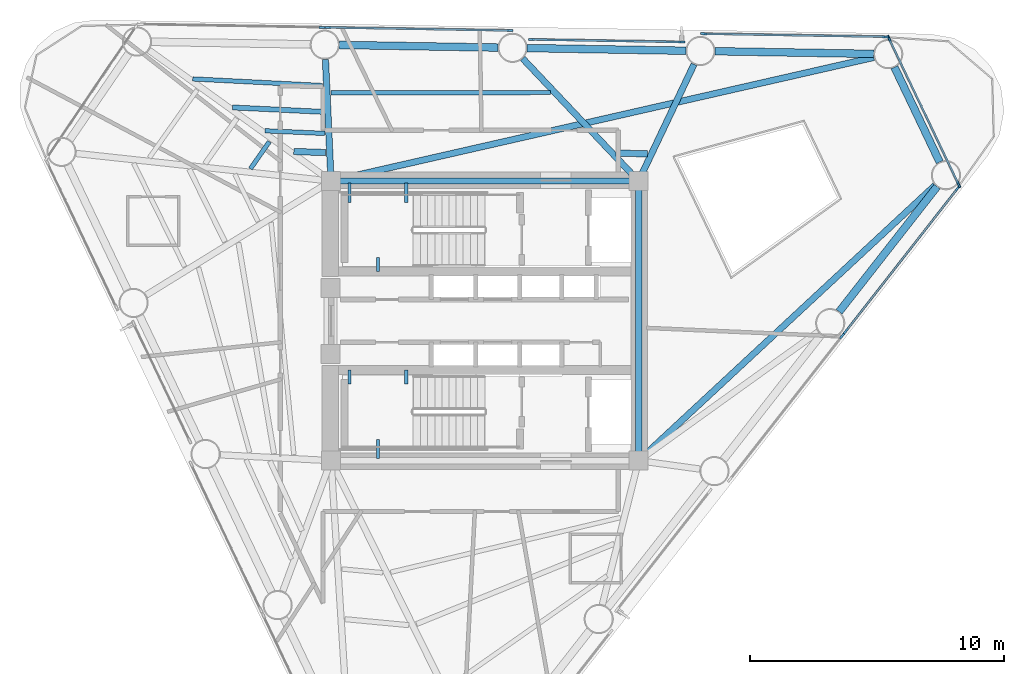
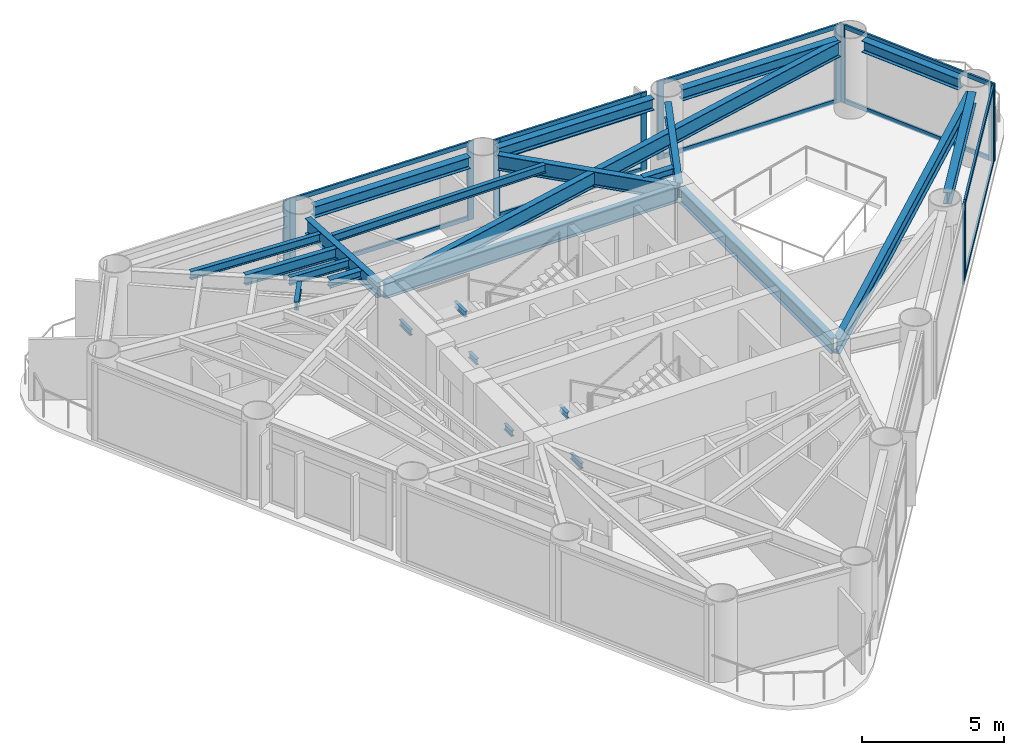
# One storey, part 3 of 9: 25 beams, 23 members, 7 elements without a shape of their own.
"""IFC4 building model written with IfcOpenShell, lengths in metres."""

from ifc_helpers import new_model, si_unit, direction, frame, origin, origin_2d, place, context, subcontext, project, spatial, rectangle, i_section, extrude, source, transform, mapped, material, layer, layer_set, material_profile, profile_set, type_object, element, aggregate, save


model = new_model("IFC4")

# Units and contexts
model_context = context("Model", 3, precision=1e-05, world=origin(), true_north=direction((0.0, 1.0)))
body_context = subcontext(model_context, "Body", "Model", "MODEL_VIEW")
ifc_project = project(units=[si_unit("LENGTHUNIT", "METRE"), si_unit("AREAUNIT", "SQUARE_METRE"), si_unit("VOLUMEUNIT", "CUBIC_METRE"), si_unit("PLANEANGLEUNIT", "RADIAN"), si_unit("MASSUNIT", "GRAM", prefix="KILO")], contexts=[model_context])

# Site, building, storey
site_placement = place(None, origin())
site = spatial("IfcSite", under=ifc_project, at=site_placement, CompositionType="ELEMENT")
building_placement = place(site_placement, origin())
building = spatial("IfcBuilding", under=site, at=building_placement, Name="Yunling Apex Tower", CompositionType="ELEMENT")
storey_placement = place(building_placement, frame((0.0, 0.0, 198.35009765625)))
storey = spatial("IfcBuildingStorey", under=building, at=storey_placement, Name="L48", CompositionType="ELEMENT", Elevation=198.35009765625)

# Beams
ifc_material_1 = material(Name="Steel Q355B", Category="steel")
ifc_material_profile_1 = material_profile(ifc_material_1, i_section(OverallWidth=0.125, OverallDepth=0.25, WebThickness=0.006103515625, FlangeThickness=0.009033203125, FilletRadius=0.011962890625, at=origin_2d()))
ifc_profile_set_1 = profile_set([ifc_material_profile_1], Name="Steel Q355B")
beam_type_1 = type_object("IfcBeamType", Name="BL-LNT-1", PredefinedType="LINTEL", material=ifc_profile_set_1)
shared_shape_1 = source(origin(), body_context, "Body", "SweptSolid", [
    extrude(i_section(OverallWidth=0.125, OverallDepth=0.25, WebThickness=0.006103515625, FlangeThickness=0.009033203125, FilletRadius=0.011962890625, at=origin_2d()), origin(), (0.0, 0.0, 1.0), 0.760009765625),
])
for number, where, z_axis, x_axis, name in (
    (1, (-5.320068359375, 5.419921875, 1.40478515625), (0.0, -1.0, 0.0), (1.0, 0.0, 0.0), "L48 ST-1 Landing Bearing Corbel 1-1"),
    (2, (-3.090087890625, 5.419921875, 1.40478515625), (0.0, -1.0, 0.0), (1.0, 0.0, 0.0), "L48 ST-1 Landing Bearing Corbel 1-2"),
    (3, (-4.205078125, -5.419921875, 1.40478515625), (0.0, 1.0, 0.0), (-1.0, 0.0, 0.0), "L48 ST-2 Landing Bearing Corbel 1-3"),
):
    element("IfcBeam", number, at=place(storey_placement, frame(where, z_axis=z_axis, x_axis=x_axis)), inside=storey, type_object=beam_type_1, Name=name, PredefinedType="LINTEL", context=body_context, shape_type="MappedRepresentation", body=[
        mapped(shared_shape_1, transform((0.0, 0.0, 0.0), scale=1.0)),
    ])
shared_shape_2 = source(origin(), body_context, "Body", "SweptSolid", [
    extrude(i_section(OverallWidth=0.125, OverallDepth=0.25, WebThickness=0.006103515625, FlangeThickness=0.009033203125, FilletRadius=0.011962890625, at=origin_2d()), origin(), (0.0, 0.0, 1.0), 0.550048828125),
])
for number, where, z_axis, x_axis, name in (
    (4, (-4.205078125, 1.93994140625, 1.40478515625), (0.0, 1.0, 0.0), (-1.0, 0.0, 0.0), "L48 ST-1 Landing Bearing Corbel 1-3"),
    (5, (-5.320068359375, -1.93994140625, 1.40478515625), (0.0, -1.0, 0.0), (1.0, 0.0, 0.0), "L48 ST-2 Landing Bearing Corbel 1-1"),
    (6, (-3.090087890625, -1.93994140625, 1.40478515625), (0.0, -1.0, 0.0), (1.0, 0.0, 0.0), "L48 ST-2 Landing Bearing Corbel 1-2"),
):
    element("IfcBeam", number, at=place(storey_placement, frame(where, z_axis=z_axis, x_axis=x_axis)), inside=storey, type_object=beam_type_1, Name=name, PredefinedType="LINTEL", context=body_context, shape_type="MappedRepresentation", body=[
        mapped(shared_shape_2, transform((0.0, 0.0, 0.0), scale=1.0)),
    ])
ifc_material_profile_2 = material_profile(ifc_material_1, i_section(OverallWidth=0.25, OverallDepth=0.64990234375, WebThickness=0.011962890625, FlangeThickness=0.02001953125, FilletRadius=0.02392578125, at=origin_2d()))
ifc_profile_set_2 = profile_set([ifc_material_profile_2], Name="Steel Q355B")
beam_type_2 = type_object("IfcBeamType", Name="BG-PRI-4", PredefinedType="USERDEFINED", material=ifc_profile_set_2)
shared_shape_3 = source(origin(), body_context, "Body", "SweptSolid", [
    extrude(i_section(OverallWidth=0.25, OverallDepth=0.64990234375, WebThickness=0.011962890625, FlangeThickness=0.02001953125, FilletRadius=0.02392578125, at=origin_2d()), origin(), (0.0, 0.0, 1.0), 11.7998046875),
])
beam_1_placement = place(storey_placement, frame((5.89990234375, 5.5, 2.94482421875), z_axis=(-1.0, 0.0, 0.0), x_axis=(0.0, -1.0, 0.0)))
element("IfcBeam", 7, at=beam_1_placement, inside=storey, type_object=beam_type_2, Name="L48 Core Ring Tie Beam 3", ObjectType="GIRDER", PredefinedType="USERDEFINED", context=body_context, shape_type="MappedRepresentation", body=[
    mapped(shared_shape_3, transform((0.0, 0.0, 0.0), scale=1.0)),
])
shared_shape_4 = source(origin(), body_context, "Body", "SweptSolid", [
    extrude(i_section(OverallWidth=0.25, OverallDepth=0.64990234375, WebThickness=0.011962890625, FlangeThickness=0.02001953125, FilletRadius=0.02392578125, at=origin_2d()), origin(), (0.0, 0.0, 1.0), 10.7001953125),
])
beam_2_placement = place(storey_placement, frame((6.050048828125, -5.35009765625, 2.94482421875), z_axis=(0.0, 1.0, 0.0), x_axis=(-1.0, 0.0, 0.0)))
element("IfcBeam", 8, at=beam_2_placement, inside=storey, type_object=beam_type_2, Name="L48 Core Ring Tie Beam 2", ObjectType="GIRDER", PredefinedType="USERDEFINED", context=body_context, shape_type="MappedRepresentation", body=[
    mapped(shared_shape_4, transform((0.0, 0.0, 0.0), scale=1.0)),
])
ifc_material_profile_3 = material_profile(ifc_material_1, i_section(OverallWidth=0.300048828125, OverallDepth=0.489990234375, WebThickness=0.010986328125, FlangeThickness=0.01806640625, FilletRadius=0.02197265625, at=origin_2d()))
ifc_profile_set_3 = profile_set([ifc_material_profile_3], Name="Steel Q355B")
beam_type_3 = type_object("IfcBeamType", Name="BP-SPN-2", PredefinedType="SPANDREL", material=ifc_profile_set_3)
shared_shape_5 = source(origin(), body_context, "Body", "SweptSolid", [
    extrude(i_section(OverallWidth=0.300048828125, OverallDepth=0.489990234375, WebThickness=0.010986328125, FlangeThickness=0.01806640625, FilletRadius=0.02197265625, at=origin_2d()), origin(), (0.0, 0.0, 1.0), 6.252685546875),
])
beam_3_placement = place(storey_placement, frame((13.940185546875, 0.35791015625, 3.02490234375), z_axis=(0.616211399259, 0.787580796759, 0.0), x_axis=(-0.787580796759, 0.616211399259, 0.0)))
element("IfcBeam", 9, at=beam_3_placement, inside=storey, type_object=beam_type_3, Name="L48 Perimeter Spandrel Beam 4", PredefinedType="SPANDREL", context=body_context, shape_type="MappedRepresentation", body=[
    mapped(shared_shape_5, transform((0.0, 0.0, 0.0), scale=1.0)),
])
shared_shape_6 = source(origin(), body_context, "Body", "SweptSolid", [
    extrude(i_section(OverallWidth=0.300048828125, OverallDepth=0.489990234375, WebThickness=0.010986328125, FlangeThickness=0.01806640625, FilletRadius=0.02197265625, at=origin_2d()), origin(), (0.0, 0.0, 1.0), 6.253173828125),
])
for number, where, z_axis, x_axis, name in (
    (10, (15.302978515625, 10.50341796875, 3.02490234375), (-0.999859061432, 0.016788605428, 0.0), (-0.016788605428, -0.999859061432, 0.0), "L48 Perimeter Spandrel Beam 6"),
    (11, (7.9130859375, 10.627197265625, 3.02490234375), (-0.999859061432, 0.016788605428, 0.0), (-0.016788605428, -0.999859061432, 0.0), "L48 Perimeter Spandrel Beam 7"),
    (12, (0.523193359375, 10.751220703125, 3.02490234375), (-0.99985971606, 0.016749573126, 0.0), (-0.016749573126, -0.99985971606, 0.0), "L48 Perimeter Spandrel Beam 8"),
):
    element("IfcBeam", number, at=place(storey_placement, frame(where, z_axis=z_axis, x_axis=x_axis)), inside=storey, type_object=beam_type_3, Name=name, PredefinedType="SPANDREL", context=body_context, shape_type="MappedRepresentation", body=[
        mapped(shared_shape_6, transform((0.0, 0.0, 0.0), scale=1.0)),
    ])
shared_shape_7 = source(origin(), body_context, "Body", "SweptSolid", [
    extrude(i_section(OverallWidth=0.300048828125, OverallDepth=0.489990234375, WebThickness=0.010986328125, FlangeThickness=0.01806640625, FilletRadius=0.02197265625, at=origin_2d()), origin(), (0.0, 0.0, 1.0), 4.139404296875),
])
beam_4_placement = place(storey_placement, frame((17.898681640625, 6.244140625, 3.02490234375), z_axis=(-0.430503573335, 0.902588872824, 0.0), x_axis=(-0.902588872824, -0.430503573335, 0.0)))
element("IfcBeam", 13, at=beam_4_placement, inside=storey, type_object=beam_type_3, Name="L48 Perimeter Spandrel Beam 5", PredefinedType="SPANDREL", context=body_context, shape_type="MappedRepresentation", body=[
    mapped(shared_shape_7, transform((0.0, 0.0, 0.0), scale=1.0)),
])
shared_shape_8 = source(origin(), body_context, "Body", "SweptSolid", [
    extrude(i_section(OverallWidth=0.25, OverallDepth=0.64990234375, WebThickness=0.011962890625, FlangeThickness=0.02001953125, FilletRadius=0.02392578125, at=origin_2d()), origin(), (0.0, 0.0, 1.0), 15.841064453125),
])
beam_5_placement = place(storey_placement, frame((17.716552734375, 5.333984375, 2.94482421875), z_axis=(-0.732769338977, -0.680477108986, 0.0), x_axis=(0.680477108986, -0.732769338977, 0.0)))
element("IfcBeam", 14, at=beam_5_placement, inside=storey, type_object=beam_type_2, Name="L48 Radial Primary Girder R05", ObjectType="GIRDER", PredefinedType="USERDEFINED", context=body_context, shape_type="MappedRepresentation", body=[
    mapped(shared_shape_8, transform((0.0, 0.0, 0.0), scale=1.0)),
])
shared_shape_9 = source(origin(), body_context, "Body", "SweptSolid", [
    extrude(i_section(OverallWidth=0.25, OverallDepth=0.64990234375, WebThickness=0.011962890625, FlangeThickness=0.02001953125, FilletRadius=0.02392578125, at=origin_2d()), origin(), (0.0, 0.0, 1.0), 21.820556640625),
])
beam_6_placement = place(storey_placement, frame((15.303466796875, 10.364501953125, 2.94482421875), z_axis=(-0.975020184512, -0.222116275394, 0.0), x_axis=(0.222116275394, -0.975020184512, 0.0)))
element("IfcBeam", 15, at=beam_6_placement, inside=storey, type_object=beam_type_2, Name="L48 Radial Primary Girder R06", ObjectType="GIRDER", PredefinedType="USERDEFINED", context=body_context, shape_type="MappedRepresentation", body=[
    mapped(shared_shape_9, transform((0.0, 0.0, 0.0), scale=1.0)),
])
shared_shape_10 = source(origin(), body_context, "Body", "SweptSolid", [
    extrude(i_section(OverallWidth=0.25, OverallDepth=0.64990234375, WebThickness=0.011962890625, FlangeThickness=0.02001953125, FilletRadius=0.02392578125, at=origin_2d()), origin(), (0.0, 0.0, 1.0), 5.00341796875),
])
beam_7_placement = place(storey_placement, frame((8.231689453125, 10.09130859375, 2.94482421875), z_axis=(-0.429206106824, -0.903206575411, 0.0), x_axis=(0.903206575411, -0.429206106824, 0.0)))
element("IfcBeam", 16, at=beam_7_placement, inside=storey, type_object=beam_type_2, Name="L48 Radial Primary Girder R07", ObjectType="GIRDER", PredefinedType="USERDEFINED", context=body_context, shape_type="MappedRepresentation", body=[
    mapped(shared_shape_10, transform((0.0, 0.0, 0.0), scale=1.0)),
])
shared_shape_11 = source(origin(), body_context, "Body", "SweptSolid", [
    extrude(i_section(OverallWidth=0.25, OverallDepth=0.64990234375, WebThickness=0.011962890625, FlangeThickness=0.02001953125, FilletRadius=0.02392578125, at=origin_2d()), origin(), (0.0, 0.0, 1.0), 6.552001953125),
])
beam_8_placement = place(storey_placement, frame((1.49267578125, 10.318115234375, 2.94482421875), z_axis=(0.687178062581, -0.726489029723, 0.0), x_axis=(0.726489029723, 0.687178062581, 0.0)))
element("IfcBeam", 17, at=beam_8_placement, inside=storey, type_object=beam_type_2, Name="L48 Radial Primary Girder R08", ObjectType="GIRDER", PredefinedType="USERDEFINED", context=body_context, shape_type="MappedRepresentation", body=[
    mapped(shared_shape_11, transform((0.0, 0.0, 0.0), scale=1.0)),
])
shared_shape_12 = source(origin(), body_context, "Body", "SweptSolid", [
    extrude(i_section(OverallWidth=0.25, OverallDepth=0.64990234375, WebThickness=0.011962890625, FlangeThickness=0.02001953125, FilletRadius=0.02392578125, at=origin_2d()), origin(), (0.0, 0.0, 1.0), 4.70849609375),
])
beam_9_placement = place(storey_placement, frame((-6.27099609375, 10.283203125, 2.94482421875), z_axis=(0.046148548326, -0.998934588193, 0.0), x_axis=(0.998934588193, 0.046148548326, 0.0)))
element("IfcBeam", 18, at=beam_9_placement, inside=storey, type_object=beam_type_2, Name="L48 Radial Primary Girder R09", ObjectType="GIRDER", PredefinedType="USERDEFINED", context=body_context, shape_type="MappedRepresentation", body=[
    mapped(shared_shape_12, transform((0.0, 0.0, 0.0), scale=1.0)),
])
ifc_material_profile_4 = material_profile(ifc_material_1, i_section(OverallWidth=0.25, OverallDepth=0.340087890625, WebThickness=0.009033203125, FlangeThickness=0.013916015625, FilletRadius=0.01806640625, at=origin_2d()))
ifc_profile_set_4 = profile_set([ifc_material_profile_4], Name="Steel Q355B")
beam_type_4 = type_object("IfcBeamType", Name="BJ-JST-2", PredefinedType="JOIST", material=ifc_profile_set_4)
shared_shape_13 = source(origin(), body_context, "Body", "SweptSolid", [
    extrude(i_section(OverallWidth=0.25, OverallDepth=0.340087890625, WebThickness=0.009033203125, FlangeThickness=0.013916015625, FilletRadius=0.01806640625, at=origin_2d()), origin(), (0.0, 0.0, 1.0), 1.23291015625),
])
beam_10_placement = place(storey_placement, frame((6.396728515625, 6.570556640625, 3.099853515625), z_axis=(-0.999688635189, 0.024952608565, 0.0), x_axis=(-0.024952608565, -0.999688635189, 0.0)))
element("IfcBeam", 19, at=beam_10_placement, inside=storey, type_object=beam_type_4, Name="L48 Composite Floor Joist BJ2-7", PredefinedType="JOIST", context=body_context, shape_type="MappedRepresentation", body=[
    mapped(shared_shape_13, transform((0.0, 0.0, 0.0), scale=1.0)),
])
ifc_material_profile_5 = material_profile(ifc_material_1, i_section(OverallWidth=0.175048828125, OverallDepth=0.35009765625, WebThickness=0.007080078125, FlangeThickness=0.010986328125, FilletRadius=0.013916015625, at=origin_2d()))
ifc_profile_set_5 = profile_set([ifc_material_profile_5], Name="Steel Q355B")
beam_type_5 = type_object("IfcBeamType", Name="BJ-JST-1", PredefinedType="JOIST", material=ifc_profile_set_5)
shared_shape_14 = source(origin(), body_context, "Body", "SweptSolid", [
    extrude(i_section(OverallWidth=0.175048828125, OverallDepth=0.35009765625, WebThickness=0.007080078125, FlangeThickness=0.010986328125, FilletRadius=0.013916015625, at=origin_2d()), origin(), (0.0, 0.0, 1.0), 8.643310546875),
])
beam_11_placement = place(storey_placement, frame((2.59326171875, 8.985107421875, 3.094970703125), z_axis=(-0.999997695824, -0.002146705784, 0.0), x_axis=(0.002146705784, -0.999997695824, 0.0)))
element("IfcBeam", 20, at=beam_11_placement, inside=storey, type_object=beam_type_5, Name="L48 Composite Floor Joist BJ1-8", PredefinedType="JOIST", context=body_context, shape_type="MappedRepresentation", body=[
    mapped(shared_shape_14, transform((0.0, 0.0, 0.0), scale=1.0)),
])
ifc_material_profile_6 = material_profile(ifc_material_1, i_section(OverallWidth=0.199951171875, OverallDepth=0.449951171875, WebThickness=0.009033203125, FlangeThickness=0.013916015625, FilletRadius=0.01806640625, at=origin_2d()))
ifc_profile_set_6 = profile_set([ifc_material_profile_6], Name="Steel Q355B")
beam_type_6 = type_object("IfcBeamType", Name="BS-SEC-3", PredefinedType="BEAM", material=ifc_profile_set_6)
shared_shape_15 = source(origin(), body_context, "Body", "SweptSolid", [
    extrude(i_section(OverallWidth=0.199951171875, OverallDepth=0.449951171875, WebThickness=0.009033203125, FlangeThickness=0.013916015625, FilletRadius=0.01806640625, at=origin_2d()), origin(), (0.0, 0.0, 1.0), 3.599853515625),
])
beam_12_placement = place(storey_placement, frame((-6.335205078125, 8.221435546875, 3.044921875), z_axis=(-0.998820387083, 0.048557536471, 0.0), x_axis=(-0.048557536471, -0.998820387083, 0.0)))
element("IfcBeam", 21, at=beam_12_placement, inside=storey, type_object=beam_type_6, Name="L48 Composite Floor Beam BS-9", PredefinedType="BEAM", context=body_context, shape_type="MappedRepresentation", body=[
    mapped(shared_shape_15, transform((0.0, 0.0, 0.0), scale=1.0)),
])
shared_shape_16 = source(origin(), body_context, "Body", "SweptSolid", [
    extrude(i_section(OverallWidth=0.175048828125, OverallDepth=0.35009765625, WebThickness=0.007080078125, FlangeThickness=0.010986328125, FilletRadius=0.013916015625, at=origin_2d()), origin(), (0.0, 0.0, 1.0), 5.116455078125),
])
beam_13_placement = place(storey_placement, frame((-6.3828125, 9.256591796875, 3.094970703125), z_axis=(-0.998690915519, 0.051151297728, 0.0), x_axis=(-0.051151297728, -0.998690915519, 0.0)))
element("IfcBeam", 22, at=beam_13_placement, inside=storey, type_object=beam_type_5, Name="L48 Composite Floor Joist BJ1-9", PredefinedType="JOIST", context=body_context, shape_type="MappedRepresentation", body=[
    mapped(shared_shape_16, transform((0.0, 0.0, 0.0), scale=1.0)),
])
shared_shape_17 = source(origin(), body_context, "Body", "SweptSolid", [
    extrude(i_section(OverallWidth=0.175048828125, OverallDepth=0.35009765625, WebThickness=0.007080078125, FlangeThickness=0.010986328125, FilletRadius=0.013916015625, at=origin_2d()), origin(), (0.0, 0.0, 1.0), 2.35888671875),
])
beam_14_placement = place(storey_placement, frame((-6.296142578125, 7.374267578125, 3.094970703125), z_axis=(-0.999023067934, 0.044191738321, 0.0), x_axis=(-0.044191738321, -0.999023067934, 0.0)))
element("IfcBeam", 23, at=beam_14_placement, inside=storey, type_object=beam_type_5, Name="L48 Composite Floor Joist BJ3-9", PredefinedType="JOIST", context=body_context, shape_type="MappedRepresentation", body=[
    mapped(shared_shape_17, transform((0.0, 0.0, 0.0), scale=1.0)),
])
shared_shape_18 = source(origin(), body_context, "Body", "SweptSolid", [
    extrude(i_section(OverallWidth=0.25, OverallDepth=0.340087890625, WebThickness=0.009033203125, FlangeThickness=0.013916015625, FilletRadius=0.01806640625, at=origin_2d()), origin(), (0.0, 0.0, 1.0), 1.256103515625),
])
beam_15_placement = place(storey_placement, frame((-6.261474609375, 6.6201171875, 3.099853515625), z_axis=(-0.999394634841, 0.034790283866, 0.0), x_axis=(-0.034790283866, -0.999394634841, 0.0)))
element("IfcBeam", 24, at=beam_15_placement, inside=storey, type_object=beam_type_4, Name="L48 Composite Floor Joist BJ2-9", PredefinedType="JOIST", context=body_context, shape_type="MappedRepresentation", body=[
    mapped(shared_shape_18, transform((0.0, 0.0, 0.0), scale=1.0)),
])
shared_shape_19 = source(origin(), body_context, "Body", "SweptSolid", [
    extrude(i_section(OverallWidth=0.175048828125, OverallDepth=0.35009765625, WebThickness=0.007080078125, FlangeThickness=0.010986328125, FilletRadius=0.013916015625, at=origin_2d()), origin(), (0.0, 0.0, 1.0), 1.29736328125),
])
beam_16_placement = place(storey_placement, frame((-8.478515625, 7.04833984375, 3.094970703125), z_axis=(-0.572590644925, -0.819841419632, 0.0), x_axis=(0.819841419632, -0.572590644925, 0.0)))
element("IfcBeam", 25, at=beam_16_placement, inside=storey, type_object=beam_type_5, Name="L48 Composite Floor Joist BJ3-10", PredefinedType="JOIST", context=body_context, shape_type="MappedRepresentation", body=[
    mapped(shared_shape_19, transform((0.0, 0.0, 0.0), scale=1.0)),
])

# Curtain wall, member
ifc_material_2 = material(Name="Bronze anodised aluminium", Category="aluminium")
ifc_layer = layer(ifc_material_2, 0.239990234375)
ifc_layer_set = layer_set([ifc_layer], Name="Bronze anodised aluminium")
curtain_wall_type = type_object("IfcCurtainWallType", Name="CW-SYS-3", PredefinedType="NOTDEFINED", material=ifc_layer_set)
curtain_wall_1_placement = place(storey_placement, origin())
curtain_wall_1 = element("IfcCurtainWall", 26, at=curtain_wall_1_placement, inside=storey, type_object=curtain_wall_type, Name="CW-L48-F1-B3", PredefinedType="NOTDEFINED")
ifc_material_profile_7 = material_profile(ifc_material_2, rectangle(XDim=0.080078125, YDim=0.239990234375, at=origin_2d()))
ifc_profile_set_7 = profile_set([ifc_material_profile_7], Name="Bronze anodised aluminium")
member_type_1 = type_object("IfcMemberType", Name="CW-MUL-3", PredefinedType="MULLION", material=ifc_profile_set_7)
shared_shape_20 = source(origin(), body_context, "Body", "SweptSolid", [
    extrude(rectangle(XDim=0.080078125, YDim=0.239990234375, at=origin_2d()), origin(), (0.0, 0.0, 1.0), 3.369873046875),
])
member_1_placement = place(storey_placement, frame((14.051025390625, -0.603759765625, -0.050048828125), z_axis=(0.0, 0.0, 1.0), x_axis=(-0.787589332433, 0.616200489644, 0.0)))
member_1 = element("IfcMember", 27, at=member_1_placement, type_object=member_type_1, Name="CW-SYS-3 mullion 2", PredefinedType="MULLION", context=body_context, shape_type="MappedRepresentation", body=[
    mapped(shared_shape_20, transform((0.0, 0.0, 0.0), scale=1.0)),
])
aggregate(curtain_wall_1, [member_1])

# Curtain wall, members
curtain_wall_2_placement = place(storey_placement, origin())
curtain_wall_2 = element("IfcCurtainWall", 28, at=curtain_wall_2_placement, inside=storey, type_object=curtain_wall_type, Name="CW-L48-F1-B4", PredefinedType="NOTDEFINED")
member_2_placement = place(storey_placement, frame((14.198974609375, -0.414794921875, -0.050048828125), z_axis=(0.0, 0.0, 1.0), x_axis=(-0.787589332433, 0.616200489644, 0.0)))
member_2 = element("IfcMember", 29, at=member_2_placement, type_object=member_type_1, Name="CW-SYS-3 mullion 1", PredefinedType="MULLION", context=body_context, shape_type="MappedRepresentation", body=[
    mapped(shared_shape_20, transform((0.0, 0.0, 0.0), scale=1.0)),
])
member_3_placement = place(storey_placement, frame((18.60546875, 5.21728515625, -0.050048828125), z_axis=(0.0, 0.0, 1.0), x_axis=(-0.787589332433, 0.616200489644, 0.0)))
member_3 = element("IfcMember", 30, at=member_3_placement, type_object=member_type_1, Name="CW-SYS-3 mullion 2", PredefinedType="MULLION", context=body_context, shape_type="MappedRepresentation", body=[
    mapped(shared_shape_20, transform((0.0, 0.0, 0.0), scale=1.0)),
])

curtain_wall_3_placement = place(storey_placement, origin())
curtain_wall_3 = element("IfcCurtainWall", 31, at=curtain_wall_3_placement, inside=storey, type_object=curtain_wall_type, Name="CW-L48-CRN1", PredefinedType="NOTDEFINED")
member_4_placement = place(storey_placement, frame((18.646484375, 5.360107421875, -0.050048828125), z_axis=(0.0, 0.0, 1.0), x_axis=(-0.902577581426, -0.430527245951, 0.0)))
member_4 = element("IfcMember", 32, at=member_4_placement, type_object=member_type_1, Name="CW-SYS-3 mullion 1", PredefinedType="MULLION", context=body_context, shape_type="MappedRepresentation", body=[
    mapped(shared_shape_20, transform((0.0, 0.0, 0.0), scale=1.0)),
])
member_5_placement = place(storey_placement, frame((15.89990234375, 11.11767578125, -0.050048828125), z_axis=(0.0, 0.0, 1.0), x_axis=(-0.902577581426, -0.430527245951, 0.0)))
member_5 = element("IfcMember", 33, at=member_5_placement, type_object=member_type_1, Name="CW-SYS-3 mullion 2", PredefinedType="MULLION", context=body_context, shape_type="MappedRepresentation", body=[
    mapped(shared_shape_20, transform((0.0, 0.0, 0.0), scale=1.0)),
])

curtain_wall_4_placement = place(storey_placement, origin())
curtain_wall_4 = element("IfcCurtainWall", 34, at=curtain_wall_4_placement, inside=storey, type_object=curtain_wall_type, Name="CW-L48-F2-B1", PredefinedType="NOTDEFINED")
member_6_placement = place(storey_placement, frame((15.76318359375, 11.17578125, -0.050048828125), z_axis=(0.0, 0.0, 1.0), x_axis=(-0.016761362354, -0.999859518498, 0.0)))
member_6 = element("IfcMember", 35, at=member_6_placement, type_object=member_type_1, Name="CW-SYS-3 mullion 1", PredefinedType="MULLION", context=body_context, shape_type="MappedRepresentation", body=[
    mapped(shared_shape_20, transform((0.0, 0.0, 0.0), scale=1.0)),
])
member_7_placement = place(storey_placement, frame((8.61328125, 11.295654296875, -0.050048828125), z_axis=(0.0, 0.0, 1.0), x_axis=(-0.016761362354, -0.999859518498, 0.0)))
member_7 = element("IfcMember", 36, at=member_7_placement, type_object=member_type_1, Name="CW-SYS-3 mullion 2", PredefinedType="MULLION", context=body_context, shape_type="MappedRepresentation", body=[
    mapped(shared_shape_20, transform((0.0, 0.0, 0.0), scale=1.0)),
])

curtain_wall_5_placement = place(storey_placement, origin())
curtain_wall_5 = element("IfcCurtainWall", 37, at=curtain_wall_5_placement, inside=storey, type_object=curtain_wall_type, Name="CW-L48-F2-B2", PredefinedType="NOTDEFINED")
member_8_placement = place(storey_placement, frame((7.747802734375, 10.97021484375, -0.050048828125), z_axis=(0.0, 0.0, 1.0), x_axis=(-0.016758635119, -0.999859564213, 0.0)))
member_8 = element("IfcMember", 38, at=member_8_placement, type_object=member_type_1, Name="CW-SYS-3 mullion 1", PredefinedType="MULLION", context=body_context, shape_type="MappedRepresentation", body=[
    mapped(shared_shape_20, transform((0.0, 0.0, 0.0), scale=1.0)),
])
member_9_placement = place(storey_placement, frame((1.837646484375, 11.0693359375, -0.050048828125), z_axis=(0.0, 0.0, 1.0), x_axis=(-0.016758635119, -0.999859564213, 0.0)))
member_9 = element("IfcMember", 39, at=member_9_placement, type_object=member_type_1, Name="CW-SYS-3 mullion 2", PredefinedType="MULLION", context=body_context, shape_type="MappedRepresentation", body=[
    mapped(shared_shape_20, transform((0.0, 0.0, 0.0), scale=1.0)),
])

curtain_wall_6_placement = place(storey_placement, origin())
curtain_wall_6 = element("IfcCurtainWall", 40, at=curtain_wall_6_placement, inside=storey, type_object=curtain_wall_type, Name="CW-L48-F2-B3", PredefinedType="NOTDEFINED")
member_10_placement = place(storey_placement, frame((0.9833984375, 11.423583984375, -0.050048828125), z_axis=(0.0, 0.0, 1.0), x_axis=(-0.016747305141, -0.999859754051, 0.0)))
member_10 = element("IfcMember", 41, at=member_10_placement, type_object=member_type_1, Name="CW-SYS-3 mullion 1", PredefinedType="MULLION", context=body_context, shape_type="MappedRepresentation", body=[
    mapped(shared_shape_20, transform((0.0, 0.0, 0.0), scale=1.0)),
])
member_11_placement = place(storey_placement, frame((-6.16650390625, 11.54345703125, -0.050048828125), z_axis=(0.0, 0.0, 1.0), x_axis=(-0.016747305141, -0.999859754051, 0.0)))
member_11 = element("IfcMember", 42, at=member_11_placement, type_object=member_type_1, Name="CW-SYS-3 mullion 2", PredefinedType="MULLION", context=body_context, shape_type="MappedRepresentation", body=[
    mapped(shared_shape_20, transform((0.0, 0.0, 0.0), scale=1.0)),
])

# Curtain wall, member
curtain_wall_7_placement = place(storey_placement, origin())
curtain_wall_7 = element("IfcCurtainWall", 43, at=curtain_wall_7_placement, inside=storey, type_object=curtain_wall_type, Name="CW-L48-F2-B4", PredefinedType="NOTDEFINED")
member_12_placement = place(storey_placement, frame((-6.406494140625, 11.54736328125, -0.050048828125), z_axis=(0.0, 0.0, 1.0), x_axis=(-0.016761362354, -0.999859518498, 0.0)))
member_12 = element("IfcMember", 44, at=member_12_placement, type_object=member_type_1, Name="CW-SYS-3 mullion 1", PredefinedType="MULLION", context=body_context, shape_type="MappedRepresentation", body=[
    mapped(shared_shape_20, transform((0.0, 0.0, 0.0), scale=1.0)),
])
aggregate(curtain_wall_7, [member_12])

# Member
ifc_material_profile_8 = material_profile(ifc_material_2, rectangle(XDim=0.080078125, YDim=0.18505859375, at=origin_2d()))
ifc_profile_set_8 = profile_set([ifc_material_profile_8], Name="Bronze anodised aluminium")
member_type_2 = type_object("IfcMemberType", Name="CW-TRN-3", PredefinedType="USERDEFINED", material=ifc_profile_set_8)
shared_shape_21 = source(origin(), body_context, "Body", "SweptSolid", [
    extrude(rectangle(XDim=0.080078125, YDim=0.18505859375, at=origin_2d()), origin(), (0.0, 0.0, 1.0), 5.8388671875),
])
member_13_placement = place(storey_placement, frame((7.7119140625, 10.970703125, 0.039794921875), z_axis=(-0.99985942793, 0.016766764128, 0.0), x_axis=(-0.016766764128, -0.99985942793, 0.0)))
member_13 = element("IfcMember", 45, at=member_13_placement, type_object=member_type_2, Name="CW-SYS-3 transom 1.1", ObjectType="TRANSOM", PredefinedType="USERDEFINED", context=body_context, shape_type="MappedRepresentation", body=[
    mapped(shared_shape_21, transform((0.0, 0.0, 0.0), scale=1.0)),
])

member_14_placement = place(storey_placement, frame((7.7119140625, 10.970703125, 2.485107421875), z_axis=(-0.99985942793, 0.016766764128, 0.0), x_axis=(-0.016766764128, -0.99985942793, 0.0)))
member_14 = element("IfcMember", 46, at=member_14_placement, type_object=member_type_2, Name="CW-SYS-3 transom 1.2", ObjectType="TRANSOM", PredefinedType="USERDEFINED", context=body_context, shape_type="MappedRepresentation", body=[
    mapped(shared_shape_21, transform((0.0, 0.0, 0.0), scale=1.0)),
])

member_15_placement = place(storey_placement, frame((7.7119140625, 10.970703125, 3.22998046875), z_axis=(-0.99985942793, 0.016766764128, 0.0), x_axis=(-0.016766764128, -0.99985942793, 0.0)))
member_15 = element("IfcMember", 47, at=member_15_placement, type_object=member_type_2, Name="CW-SYS-3 transom 1.3", ObjectType="TRANSOM", PredefinedType="USERDEFINED", context=body_context, shape_type="MappedRepresentation", body=[
    mapped(shared_shape_21, transform((0.0, 0.0, 0.0), scale=1.0)),
])

aggregate(curtain_wall_5, [member_8, member_9, member_13, member_14, member_15])

shared_shape_22 = source(origin(), body_context, "Body", "SweptSolid", [
    extrude(rectangle(XDim=0.080078125, YDim=0.18505859375, at=origin_2d()), origin(), (0.0, 0.0, 1.0), 7.0791015625),
])
member_16_placement = place(storey_placement, frame((14.22119140625, -0.386474609375, 0.039794921875), z_axis=(0.616192015574, 0.78759596237, 0.0), x_axis=(-0.78759596237, 0.616192015574, 0.0)))
member_16 = element("IfcMember", 48, at=member_16_placement, type_object=member_type_2, Name="CW-SYS-3 transom 1.1", ObjectType="TRANSOM", PredefinedType="USERDEFINED", context=body_context, shape_type="MappedRepresentation", body=[
    mapped(shared_shape_22, transform((0.0, 0.0, 0.0), scale=1.0)),
])

member_17_placement = place(storey_placement, frame((14.22119140625, -0.386474609375, 3.22998046875), z_axis=(0.616192015574, 0.78759596237, 0.0), x_axis=(-0.78759596237, 0.616192015574, 0.0)))
member_17 = element("IfcMember", 49, at=member_17_placement, type_object=member_type_2, Name="CW-SYS-3 transom 1.2", ObjectType="TRANSOM", PredefinedType="USERDEFINED", context=body_context, shape_type="MappedRepresentation", body=[
    mapped(shared_shape_22, transform((0.0, 0.0, 0.0), scale=1.0)),
])

aggregate(curtain_wall_2, [member_2, member_3, member_16, member_17])

member_18_placement = place(storey_placement, frame((15.727294921875, 11.176513671875, 0.039794921875), z_axis=(-0.999859526413, 0.01676089024, 0.0), x_axis=(-0.01676089024, -0.999859526413, 0.0)))
member_18 = element("IfcMember", 50, at=member_18_placement, type_object=member_type_2, Name="CW-SYS-3 transom 1.1", ObjectType="TRANSOM", PredefinedType="USERDEFINED", context=body_context, shape_type="MappedRepresentation", body=[
    mapped(shared_shape_22, transform((0.0, 0.0, 0.0), scale=1.0)),
])

member_19_placement = place(storey_placement, frame((15.727294921875, 11.176513671875, 3.22998046875), z_axis=(-0.999859526413, 0.01676089024, 0.0), x_axis=(-0.01676089024, -0.999859526413, 0.0)))
member_19 = element("IfcMember", 51, at=member_19_placement, type_object=member_type_2, Name="CW-SYS-3 transom 1.2", ObjectType="TRANSOM", PredefinedType="USERDEFINED", context=body_context, shape_type="MappedRepresentation", body=[
    mapped(shared_shape_22, transform((0.0, 0.0, 0.0), scale=1.0)),
])

aggregate(curtain_wall_4, [member_6, member_7, member_18, member_19])

member_20_placement = place(storey_placement, frame((0.947509765625, 11.42431640625, 0.039794921875), z_axis=(-0.999860103777, 0.01672641247, 0.0), x_axis=(-0.01672641247, -0.999860103777, 0.0)))
member_20 = element("IfcMember", 52, at=member_20_placement, type_object=member_type_2, Name="CW-SYS-3 transom 1.1", ObjectType="TRANSOM", PredefinedType="USERDEFINED", context=body_context, shape_type="MappedRepresentation", body=[
    mapped(shared_shape_22, transform((0.0, 0.0, 0.0), scale=1.0)),
])

member_21_placement = place(storey_placement, frame((0.947509765625, 11.42431640625, 3.22998046875), z_axis=(-0.999860103777, 0.01672641247, 0.0), x_axis=(-0.01672641247, -0.999860103777, 0.0)))
member_21 = element("IfcMember", 53, at=member_21_placement, type_object=member_type_2, Name="CW-SYS-3 transom 1.2", ObjectType="TRANSOM", PredefinedType="USERDEFINED", context=body_context, shape_type="MappedRepresentation", body=[
    mapped(shared_shape_22, transform((0.0, 0.0, 0.0), scale=1.0)),
])

aggregate(curtain_wall_6, [member_10, member_11, member_20, member_21])

shared_shape_23 = source(origin(), body_context, "Body", "SweptSolid", [
    extrude(rectangle(XDim=0.080078125, YDim=0.18505859375, at=origin_2d()), origin(), (0.0, 0.0, 1.0), 6.30712890625),
])
member_22_placement = place(storey_placement, frame((18.630859375, 5.392578125, 0.039794921875), z_axis=(-0.430522496716, 0.902579846784, 0.0), x_axis=(-0.902579846784, -0.430522496716, 0.0)))
member_22 = element("IfcMember", 54, at=member_22_placement, type_object=member_type_2, Name="CW-SYS-3 transom 1.1", ObjectType="TRANSOM", PredefinedType="USERDEFINED", context=body_context, shape_type="MappedRepresentation", body=[
    mapped(shared_shape_23, transform((0.0, 0.0, 0.0), scale=1.0)),
])

member_23_placement = place(storey_placement, frame((18.630859375, 5.392578125, 3.22998046875), z_axis=(-0.430522496716, 0.902579846784, 0.0), x_axis=(-0.902579846784, -0.430522496716, 0.0)))
member_23 = element("IfcMember", 55, at=member_23_placement, type_object=member_type_2, Name="CW-SYS-3 transom 1.2", ObjectType="TRANSOM", PredefinedType="USERDEFINED", context=body_context, shape_type="MappedRepresentation", body=[
    mapped(shared_shape_23, transform((0.0, 0.0, 0.0), scale=1.0)),
])

aggregate(curtain_wall_3, [member_4, member_5, member_22, member_23])

save(model, "model.ifc")
